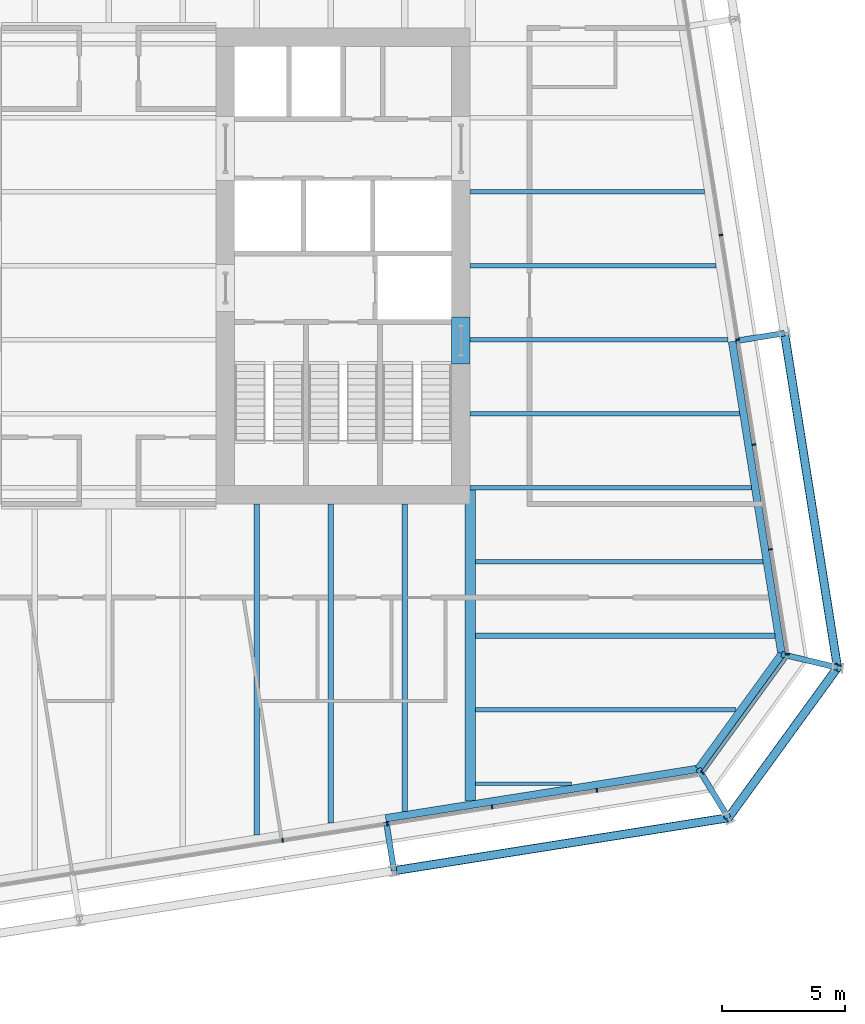
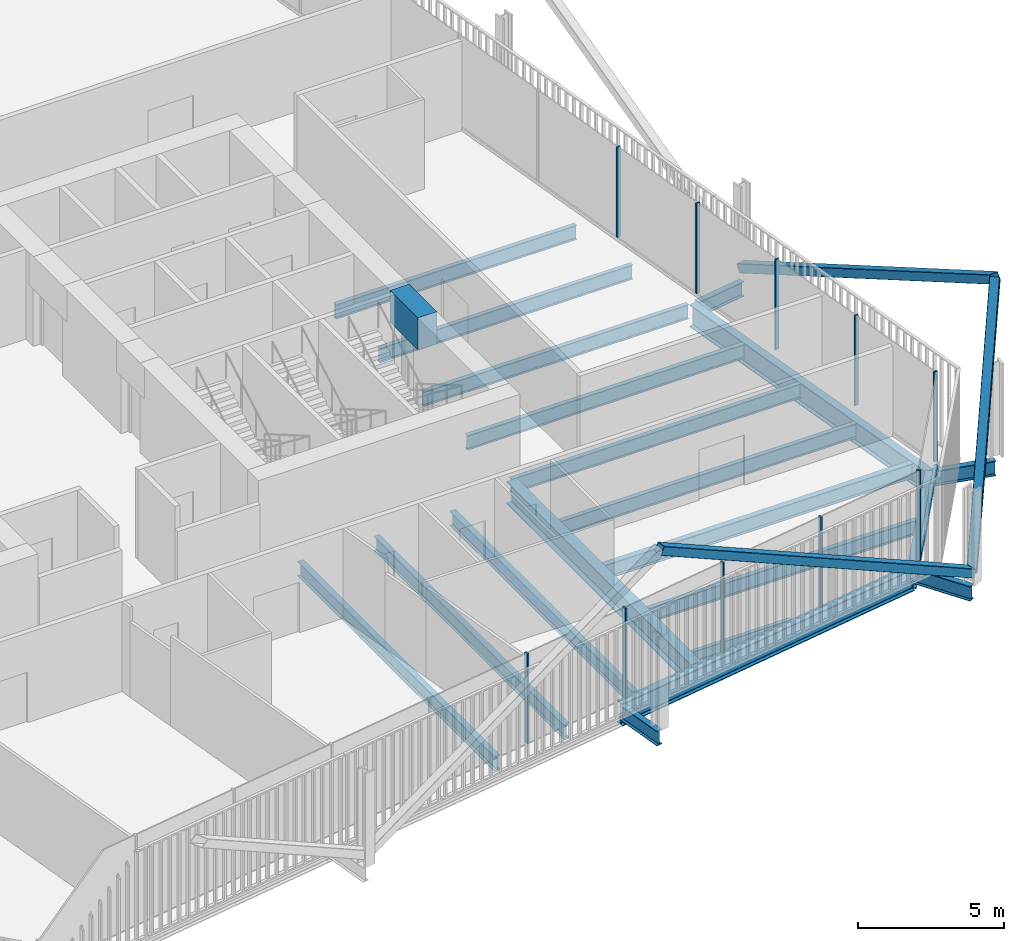
# One storey, part 8 of 22: 21 beams, 14 members, 3 elements without a shape of their own.
"""IFC4 building model written with IfcOpenShell, lengths in metres."""

import ifcopenshell
import ifcopenshell.guid

model = None  # the IFC model being written
_history = None  # IfcOwnerHistory: only IFC2X3 demands one
_inside = {}  # id of a spatial element -> (the spatial element, [elements in it])
_under = {}  # id of a project, library or spatial element -> (it, [spatial elements below it])
_declared = {}  # id of a project -> (the project, [libraries it declares])
_typed = {}  # id of a type object -> (the type object, [elements of that type])
_made_of = {}  # id of a material, layer set ... -> (it, [elements and type objects made of it])


def new_model(schema):
    """Start an empty IFC model of exactly this schema.

    Asked for "IFC4X3", IfcOpenShell would pick the latest addendum, in which some entities
    have other attributes; the version numbers below select the first issue.
    IFC2X3 requires an IfcOwnerHistory on every rooted entity: one is made here for all.
    """
    global model, _history
    if schema == "IFC4X3":
        model = ifcopenshell.file(schema_version=(4, 3, 0, 0))
    else:
        model = ifcopenshell.file(schema=schema)
    _inside.clear()
    _under.clear()
    _declared.clear()
    _typed.clear()
    _made_of.clear()
    _history = None
    if model.schema == "IFC2X3":
        org = make("IfcOrganization", Name="unknown")
        user = make(
            "IfcPersonAndOrganization",
            ThePerson=make("IfcPerson", FamilyName="unknown"),
            TheOrganization=org,
        )
        app = make(
            "IfcApplication",
            ApplicationDeveloper=org,
            Version="unknown",
            ApplicationFullName="unknown",
            ApplicationIdentifier="unknown",
        )
        _history = make(
            "IfcOwnerHistory",
            OwningUser=user,
            OwningApplication=app,
            ChangeAction="ADDED",
            CreationDate=0,
        )
    return model


def make(cls, **values):
    """One entity of the class cls with the attributes given. An attribute that is None is left unset."""
    return model.create_entity(
        cls, **{name: value for name, value in values.items() if value is not None}
    )


def rooted(cls, **values):
    """An entity with a GlobalId (a new one), such as an element, a storey or a relation."""
    return make(cls, GlobalId=ifcopenshell.guid.new(), OwnerHistory=_history, **values)


def si_unit(unit_type, name, prefix=None):
    """IfcSIUnit, for example si_unit("LENGTHUNIT", "METRE", prefix="MILLI")."""
    return make("IfcSIUnit", UnitType=unit_type, Prefix=prefix, Name=name)


def assignment(units):
    """IfcUnitAssignment: the units of a project."""
    return None if units is None else make("IfcUnitAssignment", Units=units)


def point(xyz):
    """IfcCartesianPoint."""
    return None if xyz is None else make("IfcCartesianPoint", Coordinates=xyz)


def direction(xyz):
    """IfcDirection."""
    return None if xyz is None else make("IfcDirection", DirectionRatios=xyz)


def frame(location, z_axis=None, x_axis=None):
    """IfcAxis2Placement3D, a coordinate frame: its origin and axes. An axis left out is left unset."""
    return make(
        "IfcAxis2Placement3D",
        Location=point(location),
        Axis=direction(z_axis),
        RefDirection=direction(x_axis),
    )


def frame_2d(location, x_axis=None):
    """IfcAxis2Placement2D, a coordinate frame in the plane: its origin and x axis."""
    return make(
        "IfcAxis2Placement2D", Location=point(location), RefDirection=direction(x_axis)
    )


def origin():
    """The frame at (0, 0, 0) with its axes left unset."""
    return frame((0.0, 0.0, 0.0))


def origin_2d():
    """The frame at (0, 0) in the plane with its x axis left unset."""
    return frame_2d((0.0, 0.0))


def place(relative_to, where):
    """IfcLocalPlacement: puts the frame where relative to a parent placement (None: the world)."""
    return make(
        "IfcLocalPlacement", PlacementRelTo=relative_to, RelativePlacement=where
    )


def context(
    kind, dimensions, precision=None, world=None, true_north=None, identifier=None
):
    """IfcGeometricRepresentationContext, for example the 3D "Model" context."""
    return make(
        "IfcGeometricRepresentationContext",
        ContextIdentifier=identifier,
        ContextType=kind,
        CoordinateSpaceDimension=dimensions,
        Precision=precision,
        WorldCoordinateSystem=world,
        TrueNorth=true_north,
    )


def subcontext(parent, identifier, kind, view, scale=None):
    """IfcGeometricRepresentationSubContext, for example "Body" below "Model"."""
    return make(
        "IfcGeometricRepresentationSubContext",
        ContextIdentifier=identifier,
        ContextType=kind,
        ParentContext=parent,
        TargetScale=scale,
        TargetView=view,
    )


def project(units=None, contexts=None):
    """IfcProject with its units and contexts."""
    return rooted(
        "IfcProject",
        Name="project",
        RepresentationContexts=contexts,
        UnitsInContext=assignment(units),
    )


def spatial(cls, under=None, at=None, **own):
    """A site, building, storey or space (cls), placed at a placement, below another one or the project."""
    s = rooted(cls, ObjectPlacement=at, **own)
    if under is not None:
        _under.setdefault(under.id(), (under, []))[1].append(s)
    return s


def profile(cls, at=None, kind="AREA", **sizes):
    """A parametric profile (cls). Its sizes go by their IFC names, for example OverallWidth=200.0."""
    return make(cls, ProfileType=kind, Position=at, **sizes)


def rectangle(**sizes):
    """IfcRectangleProfileDef."""
    return profile("IfcRectangleProfileDef", **sizes)


def hollow_rectangle(**sizes):
    """IfcRectangleHollowProfileDef."""
    return profile("IfcRectangleHollowProfileDef", **sizes)


def i_section(**sizes):
    """IfcIShapeProfileDef."""
    return profile("IfcIShapeProfileDef", **sizes)


def extrude(swept, where, along, depth):
    """IfcExtrudedAreaSolid: the profile swept, set in the frame where, extruded along a direction by depth."""
    return make(
        "IfcExtrudedAreaSolid",
        SweptArea=swept,
        Position=where,
        ExtrudedDirection=direction(along),
        Depth=depth,
    )


def shape(context_of_items, identifier, shape_type, items):
    """IfcShapeRepresentation: the items that make up one representation, for example the "Body"."""
    return make(
        "IfcShapeRepresentation",
        ContextOfItems=context_of_items,
        RepresentationIdentifier=identifier,
        RepresentationType=shape_type,
        Items=items,
    )


def material(Name=None, Category=None):
    """IfcMaterial."""
    return make("IfcMaterial", Name=Name, Category=Category)


def layer(
    of_material, thickness, ventilated=None, Name=None, Category=None, Priority=None
):
    """IfcMaterialLayer: one layer of a wall or slab, of a material (None: an air gap)."""
    return make(
        "IfcMaterialLayer",
        Material=of_material,
        LayerThickness=thickness,
        IsVentilated=ventilated,
        Name=Name,
        Category=Category,
        Priority=Priority,
    )


def layer_set(layers, Name=None):
    """IfcMaterialLayerSet."""
    return make("IfcMaterialLayerSet", MaterialLayers=layers, LayerSetName=Name)


def material_profile(
    of_material, cross_section, Name=None, Category=None, Priority=None
):
    """IfcMaterialProfile: a cross section and its material."""
    return make(
        "IfcMaterialProfile",
        Name=Name,
        Material=of_material,
        Profile=cross_section,
        Priority=Priority,
        Category=Category,
    )


def profile_set(profiles, Name=None, composite=None):
    """IfcMaterialProfileSet."""
    return make(
        "IfcMaterialProfileSet",
        Name=Name,
        MaterialProfiles=profiles,
        CompositeProfile=composite,
    )


def made_of(thing, what):
    """Note that an element or type object is made of a material, layer set ...; save() writes the relation."""
    if what is not None:
        _made_of.setdefault(what.id(), (what, []))[1].append(thing)
    return thing


def type_object(cls, material=None, **own):
    """A type object (cls), such as IfcWallType, which elements share."""
    return made_of(rooted(cls, **own), material)


def element(
    cls,
    number,
    at=None,
    inside=None,
    cuts=None,
    type_object=None,
    material=None,
    context=None,
    identifier="Body",
    shape_type=None,
    held_by="IfcProductDefinitionShape",
    body=None,
    shapes=None,
    **own,
):
    """One element of the class cls, such as IfcWall. Its Tag is "e" and its number.

    at: its placement. inside: the storey or other place that contains it. cuts: it is an
    opening in that element (IfcRelVoidsElement). A single representation is given by context,
    identifier, shape_type and body (its items); several are given by shapes. held_by: the class
    of the entity that holds the representations. save() writes the other relations.
    """
    e = rooted(cls, Tag="e%d" % number, ObjectPlacement=at, **own)
    if body is not None:
        shapes = [shape(context, identifier, shape_type, body)]
    if shapes is not None:
        e.Representation = make(held_by, Representations=shapes)
    if inside is not None:
        _inside.setdefault(inside.id(), (inside, []))[1].append(e)
    if cuts is not None:
        rooted(
            "IfcRelVoidsElement", RelatingBuildingElement=cuts, RelatedOpeningElement=e
        )
    if type_object is not None:
        _typed.setdefault(type_object.id(), (type_object, []))[1].append(e)
    return made_of(e, material)


def aggregate(whole, parts):
    """IfcRelAggregates: a whole, such as a stair, and the parts it consists of."""
    return rooted("IfcRelAggregates", RelatingObject=whole, RelatedObjects=parts)


def save(model, path):
    """Write the relations noted so far, then the file.

    IfcRelAggregates (storeys below a building ...), IfcRelContainedInSpatialStructure (elements
    in a storey), IfcRelDefinesByType, IfcRelAssociatesMaterial and IfcRelDeclares: one each for
    every whole, place, type object, material and project.
    """
    for whole, parts in _under.values():
        aggregate(whole, parts)
    for where, things in _inside.values():
        rooted(
            "IfcRelContainedInSpatialStructure",
            RelatedElements=things,
            RelatingStructure=where,
        )
    for kind, things in _typed.values():
        rooted("IfcRelDefinesByType", RelatedObjects=things, RelatingType=kind)
    for what, things in _made_of.values():
        rooted("IfcRelAssociatesMaterial", RelatedObjects=things, RelatingMaterial=what)
    for by, libraries in _declared.values():
        rooted("IfcRelDeclares", RelatingContext=by, RelatedDefinitions=libraries)
    model.write(path)


model = new_model("IFC4")

# Units and contexts
model_context = context("Model", 3, precision=1e-05, world=origin(), true_north=direction((0.0, 1.0)))
body_context = subcontext(model_context, "Body", "Model", "MODEL_VIEW")
ifc_project = project(units=[si_unit("LENGTHUNIT", "METRE"), si_unit("AREAUNIT", "SQUARE_METRE"), si_unit("VOLUMEUNIT", "CUBIC_METRE"), si_unit("PLANEANGLEUNIT", "RADIAN"), si_unit("MASSUNIT", "GRAM", prefix="KILO")], contexts=[model_context])

# Site, building, storey
site_placement = place(None, origin())
site = spatial("IfcSite", under=ifc_project, at=site_placement, CompositionType="ELEMENT")
building_placement = place(site_placement, origin())
building = spatial("IfcBuilding", under=site, at=building_placement, Name="Millrace Tower", CompositionType="ELEMENT")
storey_placement = place(building_placement, frame((0.0, 0.0, 145.10009765625)))
storey = spatial("IfcBuildingStorey", under=building, at=storey_placement, Name="L32", CompositionType="ELEMENT", Elevation=145.10009765625)

# Curtain wall, members
ifc_material_1 = material(Name="Aluminium and glass", Category="aluminium")
ifc_layer = layer(ifc_material_1, 0.14990234375)
ifc_layer_set = layer_set([ifc_layer], Name="Aluminium and glass")
curtain_wall_type = type_object("IfcCurtainWallType", Name="CW-1 office vision curtain wall", PredefinedType="NOTDEFINED", material=ifc_layer_set)
placement = place(storey_placement, origin())
curtain_wall_1 = element("IfcCurtainWall", 1, at=placement, inside=storey, type_object=curtain_wall_type, Name="Curtain wall C-F02 L32", PredefinedType="NOTDEFINED")
ifc_material_2 = material(Name="Aluminium", Category="aluminium")
ifc_material_profile_1 = material_profile(ifc_material_2, rectangle(XDim=0.06494140625, YDim=0.14990234375, at=origin_2d()))
ifc_profile_set_1 = profile_set([ifc_material_profile_1], Name="Aluminium")
member_type_1 = type_object("IfcMemberType", Name="CW-1 office vision curtain wall mullion", PredefinedType="MULLION", material=ifc_profile_set_1)
member_1_placement = place(storey_placement, frame((7.04345703125, -23.293212890625, 0.139892578125), z_axis=(0.0, 0.0, 1.0), x_axis=(0.98768833929, 0.15643447328, 0.0)))
member_1 = element("IfcMember", 2, at=member_1_placement, type_object=member_type_1, Name="CW1 mullion C-F02.6", PredefinedType="MULLION", context=body_context, shape_type="SweptSolid", body=[
    extrude(rectangle(XDim=0.06494140625, YDim=0.14990234375, at=origin_2d()), origin(), (0.0, 0.0, 1.0), 3.760009765625),
])
member_2_placement = place(storey_placement, frame((11.29052734375, -22.62060546875, 0.139892578125), z_axis=(0.0, 0.0, 1.0), x_axis=(0.98768833929, 0.15643447328, 0.0)))
member_2 = element("IfcMember", 3, at=member_2_placement, type_object=member_type_1, Name="CW1 mullion C-F02.7", PredefinedType="MULLION", context=body_context, shape_type="SweptSolid", body=[
    extrude(rectangle(XDim=0.06494140625, YDim=0.14990234375, at=origin_2d()), origin(), (0.0, 0.0, 1.0), 3.760009765625),
])
member_3_placement = place(storey_placement, frame((15.53759765625, -21.947998046875, 0.139892578125), z_axis=(0.0, 0.0, 1.0), x_axis=(0.98768833929, 0.15643447328, 0.0)))
member_3 = element("IfcMember", 4, at=member_3_placement, type_object=member_type_1, Name="CW1 mullion C-F02.8", PredefinedType="MULLION", context=body_context, shape_type="SweptSolid", body=[
    extrude(rectangle(XDim=0.06494140625, YDim=0.14990234375, at=origin_2d()), origin(), (0.0, 0.0, 1.0), 3.760009765625),
])
member_4_placement = place(storey_placement, frame((19.78466796875, -21.275390625, 0.139892578125), z_axis=(0.0, 0.0, 1.0), x_axis=(0.98768833929, 0.15643447328, 0.0)))
member_4 = element("IfcMember", 5, at=member_4_placement, type_object=member_type_1, Name="CW1 mullion C-F02.9", PredefinedType="MULLION", context=body_context, shape_type="SweptSolid", body=[
    extrude(rectangle(XDim=0.06494140625, YDim=0.14990234375, at=origin_2d()), origin(), (0.0, 0.0, 1.0), 3.760009765625),
])
aggregate(curtain_wall_1, [member_1, member_2, member_3, member_4])

# Curtain wall, member
curtain_wall_2 = element("IfcCurtainWall", 6, at=placement, inside=storey, type_object=curtain_wall_type, Name="Curtain wall C-F03 L32", PredefinedType="NOTDEFINED")
member_5_placement = place(storey_placement, frame((24.06787109375, -20.551513671875, 0.139892578125), z_axis=(0.0, 0.0, 1.0), x_axis=(0.587785269844, 0.809016981623, 0.0)))
member_5 = element("IfcMember", 7, at=member_5_placement, type_object=member_type_1, Name="CW1 mullion C-F03.1", PredefinedType="MULLION", context=body_context, shape_type="SweptSolid", body=[
    extrude(rectangle(XDim=0.06494140625, YDim=0.14990234375, at=origin_2d()), origin(), (0.0, 0.0, 1.0), 3.760009765625),
])

# Curtain wall, members
curtain_wall_3 = element("IfcCurtainWall", 8, at=placement, inside=storey, type_object=curtain_wall_type, Name="Curtain wall C-F04 L32", PredefinedType="NOTDEFINED")
member_6_placement = place(storey_placement, frame((27.506591796875, -15.74169921875, 0.139892578125), z_axis=(0.0, 0.0, 1.0), x_axis=(-0.15643447328, 0.98768833929, 0.0)))
member_6 = element("IfcMember", 9, at=member_6_placement, type_object=member_type_1, Name="CW1 mullion C-F04.1", PredefinedType="MULLION", context=body_context, shape_type="SweptSolid", body=[
    extrude(rectangle(XDim=0.06494140625, YDim=0.14990234375, at=origin_2d()), origin(), (0.0, 0.0, 1.0), 3.760009765625),
])
member_7_placement = place(storey_placement, frame((26.833984375, -11.49462890625, 0.139892578125), z_axis=(0.0, 0.0, 1.0), x_axis=(-0.15643447328, 0.98768833929, 0.0)))
member_7 = element("IfcMember", 10, at=member_7_placement, type_object=member_type_1, Name="CW1 mullion C-F04.2", PredefinedType="MULLION", context=body_context, shape_type="SweptSolid", body=[
    extrude(rectangle(XDim=0.06494140625, YDim=0.14990234375, at=origin_2d()), origin(), (0.0, 0.0, 1.0), 3.760009765625),
])
member_8_placement = place(storey_placement, frame((26.161376953125, -7.24755859375, 0.139892578125), z_axis=(0.0, 0.0, 1.0), x_axis=(-0.15643447328, 0.98768833929, 0.0)))
member_8 = element("IfcMember", 11, at=member_8_placement, type_object=member_type_1, Name="CW1 mullion C-F04.3", PredefinedType="MULLION", context=body_context, shape_type="SweptSolid", body=[
    extrude(rectangle(XDim=0.06494140625, YDim=0.14990234375, at=origin_2d()), origin(), (0.0, 0.0, 1.0), 3.760009765625),
])
member_9_placement = place(storey_placement, frame((25.48876953125, -3.00048828125, 0.139892578125), z_axis=(0.0, 0.0, 1.0), x_axis=(-0.15643447328, 0.98768833929, 0.0)))
member_9 = element("IfcMember", 12, at=member_9_placement, type_object=member_type_1, Name="CW1 mullion C-F04.4", PredefinedType="MULLION", context=body_context, shape_type="SweptSolid", body=[
    extrude(rectangle(XDim=0.06494140625, YDim=0.14990234375, at=origin_2d()), origin(), (0.0, 0.0, 1.0), 3.760009765625),
])
member_10_placement = place(storey_placement, frame((24.81591796875, 1.24658203125, 0.139892578125), z_axis=(0.0, 0.0, 1.0), x_axis=(-0.15643447328, 0.98768833929, 0.0)))
member_10 = element("IfcMember", 13, at=member_10_placement, type_object=member_type_1, Name="CW1 mullion C-F04.5", PredefinedType="MULLION", context=body_context, shape_type="SweptSolid", body=[
    extrude(rectangle(XDim=0.06494140625, YDim=0.14990234375, at=origin_2d()), origin(), (0.0, 0.0, 1.0), 3.760009765625),
])
aggregate(curtain_wall_3, [member_6, member_7, member_8, member_9, member_10])

# Member
ifc_material_3 = material(Name="Aluminium", Category="aluminium")
ifc_material_profile_2 = material_profile(ifc_material_3, rectangle(XDim=0.14990234375, YDim=0.139892578125, at=origin_2d()))
ifc_profile_set_2 = profile_set([ifc_material_profile_2], Name="Aluminium")
member_type_2 = type_object("IfcMemberType", Name="CW-1 office vision curtain wall transom", PredefinedType="USERDEFINED", material=ifc_profile_set_2)
member_11_placement = place(storey_placement, frame((24.107421875, -20.496826171875, 0.06982421875), z_axis=(0.587810581339, 0.808998591139, 0.0), x_axis=(-0.808998591139, 0.587810581339, 0.0)))
member_11 = element("IfcMember", 14, at=member_11_placement, type_object=member_type_2, Name="CW1 transom C-F03.1", ObjectType="TRANSOM", PredefinedType="USERDEFINED", context=body_context, shape_type="SweptSolid", body=[
    extrude(rectangle(XDim=0.14990234375, YDim=0.139892578125, at=origin_2d()), origin(), (0.0, 0.0, 1.0), 5.6689453125),
])

aggregate(curtain_wall_2, [member_5, member_11])

# Beam
ifc_material_4 = material(Name="Concrete C70", Category="concrete")
ifc_material_profile_3 = material_profile(ifc_material_4, rectangle(XDim=0.75, YDim=1.340087890625, at=origin_2d()))
ifc_profile_set_3 = profile_set([ifc_material_profile_3], Name="Concrete C70")
beam_type_1 = type_object("IfcBeamType", Name="Coupling beam 750 x 1340 Concrete C70, 1300 opening", PredefinedType="BEAM", material=ifc_profile_set_3)
beam_1_placement = place(storey_placement, frame((14.27490234375, -2.080078125, 3.06982421875), z_axis=(0.0, -1.0, 0.0), x_axis=(1.0, 0.0, 0.0)))
element("IfcBeam", 15, at=beam_1_placement, inside=storey, type_object=beam_type_1, Name="Coupling beam E L32", PredefinedType="BEAM", context=body_context, shape_type="SweptSolid", body=[
    extrude(rectangle(XDim=0.75, YDim=1.340087890625, at=origin_2d()), origin(), (0.0, 0.0, 1.0), 1.89990234375),
])

# Members
ifc_material_5 = material(Name="Steel ASTM A500 Grade C", Category="steel")
ifc_material_profile_4 = material_profile(ifc_material_5, hollow_rectangle(XDim=0.355712890625, YDim=0.355712890625, WallThickness=0.015869140625, InnerFilletRadius=0.008056640625, OuterFilletRadius=0.02392578125, at=origin_2d()))
ifc_profile_set_4 = profile_set([ifc_material_profile_4], Name="Steel ASTM A500 Grade C")
member_type_3 = type_object("IfcMemberType", Name="Exoskeleton brace HSS14x14x5/8", PredefinedType="BRACE", material=ifc_profile_set_4)
member_12_placement = place(storey_placement, frame((25.119140625, -22.37939453125, 0.39990234375), z_axis=(-0.879908188937, -0.139368965396, 0.454244285078), x_axis=(0.156440158434, -0.987687438833, 0.0)))
element("IfcMember", 16, at=member_12_placement, inside=storey, type_object=member_type_3, Name="BRC-C-L32-04", PredefinedType="BRACE", context=body_context, shape_type="SweptSolid", body=[
    extrude(hollow_rectangle(XDim=0.355712890625, YDim=0.355712890625, WallThickness=0.015869140625, InnerFilletRadius=0.008056640625, OuterFilletRadius=0.02392578125, at=origin_2d()), origin(), (0.0, 0.0, 1.0), 15.41015625),
])
member_13_placement = place(storey_placement, frame((25.119140625, -22.37939453125, 0.39990234375), z_axis=(0.430395153162, 0.592372334541, 0.681069034243), x_axis=(-0.809009551985, 0.587795495726, 0.0)))
element("IfcMember", 17, at=member_13_placement, inside=storey, type_object=member_type_3, Name="BRC-C-L32-05", PredefinedType="BRACE", context=body_context, shape_type="SweptSolid", body=[
    extrude(hollow_rectangle(XDim=0.355712890625, YDim=0.355712890625, WallThickness=0.015869140625, InnerFilletRadius=0.008056640625, OuterFilletRadius=0.02392578125, at=origin_2d()), origin(), (0.0, 0.0, 1.0), 10.278076171875),
])
member_14_placement = place(storey_placement, frame((27.39501953125, -2.7314453125, 0.39990234375), z_axis=(0.139368965396, -0.879908188937, 0.454244285078), x_axis=(0.987687438833, 0.156440158434, 0.0)))
element("IfcMember", 18, at=member_14_placement, inside=storey, type_object=member_type_3, Name="BRC-C-L32-06", PredefinedType="BRACE", context=body_context, shape_type="SweptSolid", body=[
    extrude(hollow_rectangle(XDim=0.355712890625, YDim=0.355712890625, WallThickness=0.015869140625, InnerFilletRadius=0.008056640625, OuterFilletRadius=0.02392578125, at=origin_2d()), origin(), (0.0, 0.0, 1.0), 15.41015625),
])

# Beams
ifc_material_6 = material(Name="Steel ASTM A992 Grade 50", Category="steel")
ifc_material_profile_5 = material_profile(ifc_material_6, i_section(OverallWidth=0.15234375, OverallDepth=0.449462890625, WebThickness=0.007568359375, FlangeThickness=0.0107421875, FilletRadius=0.01025390625, at=origin_2d()))
ifc_profile_set_5 = profile_set([ifc_material_profile_5], Name="Steel ASTM A992 Grade 50")
beam_type_2 = type_object("IfcBeamType", Name="Floor beam W18x35", PredefinedType="JOIST", material=ifc_profile_set_5)
beam_2_placement = place(storey_placement, frame((14.859619140625, -21.0, -0.384765625), z_axis=(1.0, 0.0, 0.0), x_axis=(0.0, 1.0, 0.0)))
element("IfcBeam", 19, at=beam_2_placement, inside=storey, type_object=beam_type_2, Name="BM-C-L32-S1-S003", PredefinedType="JOIST", context=body_context, shape_type="SweptSolid", body=[
    extrude(i_section(OverallWidth=0.15234375, OverallDepth=0.449462890625, WebThickness=0.007568359375, FlangeThickness=0.0107421875, FilletRadius=0.01025390625, at=origin_2d()), origin(), (0.0, 0.0, 1.0), 3.9033203125),
])
ifc_material_7 = material(Name="Steel ASTM A992 Grade 50", Category="steel")
ifc_material_profile_6 = material_profile(ifc_material_7, i_section(OverallWidth=0.177978515625, OverallDepth=0.599365234375, WebThickness=0.010009765625, FlangeThickness=0.012939453125, FilletRadius=0.012939453125, at=origin_2d()))
ifc_profile_set_6 = profile_set([ifc_material_profile_6], Name="Steel ASTM A992 Grade 50")
beam_type_3 = type_object("IfcBeamType", Name="Floor beam W24x55", PredefinedType="JOIST", material=ifc_profile_set_6)
beam_3_placement = place(storey_placement, frame((14.64990234375, 0.0, -0.459716796875), z_axis=(1.0, 0.0, 0.0), x_axis=(0.0, 1.0, 0.0)))
element("IfcBeam", 20, at=beam_3_placement, inside=storey, type_object=beam_type_3, Name="BM-C-L32-S1-S021", PredefinedType="JOIST", context=body_context, shape_type="SweptSolid", body=[
    extrude(i_section(OverallWidth=0.177978515625, OverallDepth=0.599365234375, WebThickness=0.010009765625, FlangeThickness=0.012939453125, FilletRadius=0.012939453125, at=origin_2d()), origin(), (0.0, 0.0, 1.0), 9.976318359375),
])
beam_4_placement = place(storey_placement, frame((14.64990234375, 3.0, -0.459716796875), z_axis=(1.0, 0.0, 0.0), x_axis=(0.0, 1.0, 0.0)))
element("IfcBeam", 21, at=beam_4_placement, inside=storey, type_object=beam_type_3, Name="BM-C-L32-S1-S024", PredefinedType="JOIST", context=body_context, shape_type="SweptSolid", body=[
    extrude(i_section(OverallWidth=0.177978515625, OverallDepth=0.599365234375, WebThickness=0.010009765625, FlangeThickness=0.012939453125, FilletRadius=0.012939453125, at=origin_2d()), origin(), (0.0, 0.0, 1.0), 9.501220703125),
])
ifc_material_8 = material(Name="Steel ASTM A992 Grade 50", Category="steel")
ifc_material_profile_7 = material_profile(ifc_material_8, i_section(OverallWidth=0.1787109375, OverallDepth=0.60205078125, WebThickness=0.010986328125, FlangeThickness=0.014892578125, FilletRadius=0.0126953125, at=origin_2d()))
ifc_profile_set_7 = profile_set([ifc_material_profile_7], Name="Steel ASTM A992 Grade 50")
beam_type_4 = type_object("IfcBeamType", Name="Floor beam W24x62", PredefinedType="JOIST", material=ifc_profile_set_7)
beam_5_placement = place(storey_placement, frame((14.859619140625, -12.0, -0.461181640625), z_axis=(1.0, 0.0, 0.0), x_axis=(0.0, 1.0, 0.0)))
element("IfcBeam", 22, at=beam_5_placement, inside=storey, type_object=beam_type_4, Name="BM-C-L32-S1-S009", PredefinedType="JOIST", context=body_context, shape_type="SweptSolid", body=[
    extrude(i_section(OverallWidth=0.1787109375, OverallDepth=0.60205078125, WebThickness=0.010986328125, FlangeThickness=0.014892578125, FilletRadius=0.0126953125, at=origin_2d()), origin(), (0.0, 0.0, 1.0), 11.667236328125),
])
beam_6_placement = place(storey_placement, frame((14.64990234375, -9.0, -0.461181640625), z_axis=(1.0, 0.0, 0.0), x_axis=(0.0, 1.0, 0.0)))
element("IfcBeam", 23, at=beam_6_placement, inside=storey, type_object=beam_type_4, Name="BM-C-L32-S1-S012", PredefinedType="JOIST", context=body_context, shape_type="SweptSolid", body=[
    extrude(i_section(OverallWidth=0.1787109375, OverallDepth=0.60205078125, WebThickness=0.010986328125, FlangeThickness=0.014892578125, FilletRadius=0.0126953125, at=origin_2d()), origin(), (0.0, 0.0, 1.0), 11.40185546875),
])
beam_7_placement = place(storey_placement, frame((14.64990234375, -6.0, -0.461181640625), z_axis=(1.0, 0.0, 0.0), x_axis=(0.0, 1.0, 0.0)))
element("IfcBeam", 24, at=beam_7_placement, inside=storey, type_object=beam_type_4, Name="BM-C-L32-S1-S015", PredefinedType="JOIST", context=body_context, shape_type="SweptSolid", body=[
    extrude(i_section(OverallWidth=0.1787109375, OverallDepth=0.60205078125, WebThickness=0.010986328125, FlangeThickness=0.014892578125, FilletRadius=0.0126953125, at=origin_2d()), origin(), (0.0, 0.0, 1.0), 10.9267578125),
])
beam_8_placement = place(storey_placement, frame((14.64990234375, -3.0, -0.461181640625), z_axis=(1.0, 0.0, 0.0), x_axis=(0.0, 1.0, 0.0)))
element("IfcBeam", 25, at=beam_8_placement, inside=storey, type_object=beam_type_4, Name="BM-C-L32-S1-S018", PredefinedType="JOIST", context=body_context, shape_type="SweptSolid", body=[
    extrude(i_section(OverallWidth=0.1787109375, OverallDepth=0.60205078125, WebThickness=0.010986328125, FlangeThickness=0.014892578125, FilletRadius=0.0126953125, at=origin_2d()), origin(), (0.0, 0.0, 1.0), 10.45166015625),
])
beam_9_placement = place(storey_placement, frame((14.859619140625, -18.0, -0.461181640625), z_axis=(1.0, 0.0, 0.0), x_axis=(0.0, 1.0, 0.0)))
element("IfcBeam", 26, at=beam_9_placement, inside=storey, type_object=beam_type_4, Name="BM-C-L32-S1-S005", PredefinedType="JOIST", context=body_context, shape_type="SweptSolid", body=[
    extrude(i_section(OverallWidth=0.1787109375, OverallDepth=0.60205078125, WebThickness=0.010986328125, FlangeThickness=0.014892578125, FilletRadius=0.0126953125, at=origin_2d()), origin(), (0.0, 0.0, 1.0), 10.577392578125),
])
ifc_material_9 = material(Name="Steel ASTM A992 Grade 50", Category="steel")
ifc_material_profile_8 = material_profile(ifc_material_9, i_section(OverallWidth=0.228271484375, OverallDepth=0.607177734375, WebThickness=0.01123046875, FlangeThickness=0.017333984375, FilletRadius=0.0126953125, at=origin_2d()))
ifc_profile_set_8 = profile_set([ifc_material_profile_8], Name="Steel ASTM A992 Grade 50")
beam_type_5 = type_object("IfcBeamType", Name="Floor beam W24x76", PredefinedType="JOIST", material=ifc_profile_set_8)
beam_10_placement = place(storey_placement, frame((14.859619140625, -15.0, -0.463623046875), z_axis=(1.0, 0.0, 0.0), x_axis=(0.0, 1.0, 0.0)))
element("IfcBeam", 27, at=beam_10_placement, inside=storey, type_object=beam_type_5, Name="BM-C-L32-S1-S007", PredefinedType="JOIST", context=body_context, shape_type="SweptSolid", body=[
    extrude(i_section(OverallWidth=0.228271484375, OverallDepth=0.607177734375, WebThickness=0.01123046875, FlangeThickness=0.017333984375, FilletRadius=0.0126953125, at=origin_2d()), origin(), (0.0, 0.0, 1.0), 12.142578125),
])
beam_11_placement = place(storey_placement, frame((6.0, -23.071533203125, -0.463623046875), z_axis=(0.0, 1.0, 0.0), x_axis=(-1.0, 0.0, 0.0)))
element("IfcBeam", 28, at=beam_11_placement, inside=storey, type_object=beam_type_5, Name="BM-C-L32-S1-S052", PredefinedType="JOIST", context=body_context, shape_type="SweptSolid", body=[
    extrude(i_section(OverallWidth=0.228271484375, OverallDepth=0.607177734375, WebThickness=0.01123046875, FlangeThickness=0.017333984375, FilletRadius=0.0126953125, at=origin_2d()), origin(), (0.0, 0.0, 1.0), 13.421630859375),
])
beam_12_placement = place(storey_placement, frame((9.0, -22.596435546875, -0.463623046875), z_axis=(0.0, 1.0, 0.0), x_axis=(-1.0, 0.0, 0.0)))
element("IfcBeam", 29, at=beam_12_placement, inside=storey, type_object=beam_type_5, Name="BM-C-L32-S1-S054", PredefinedType="JOIST", context=body_context, shape_type="SweptSolid", body=[
    extrude(i_section(OverallWidth=0.228271484375, OverallDepth=0.607177734375, WebThickness=0.01123046875, FlangeThickness=0.017333984375, FilletRadius=0.0126953125, at=origin_2d()), origin(), (0.0, 0.0, 1.0), 12.946533203125),
])
beam_13_placement = place(storey_placement, frame((12.0, -22.12109375, -0.463623046875), z_axis=(0.0, 1.0, 0.0), x_axis=(-1.0, 0.0, 0.0)))
element("IfcBeam", 30, at=beam_13_placement, inside=storey, type_object=beam_type_5, Name="BM-C-L32-S1-S056", PredefinedType="JOIST", context=body_context, shape_type="SweptSolid", body=[
    extrude(i_section(OverallWidth=0.228271484375, OverallDepth=0.607177734375, WebThickness=0.01123046875, FlangeThickness=0.017333984375, FilletRadius=0.0126953125, at=origin_2d()), origin(), (0.0, 0.0, 1.0), 12.47119140625),
])
ifc_material_10 = material(Name="Steel ASTM A992 Grade 50", Category="steel")
ifc_material_profile_9 = material_profile(ifc_material_10, i_section(OverallWidth=0.419189453125, OverallDepth=0.927001953125, WebThickness=0.019287109375, FlangeThickness=0.031982421875, FilletRadius=0.024169921875, at=origin_2d()))
ifc_profile_set_9 = profile_set([ifc_material_profile_9], Name="Steel ASTM A992 Grade 50")
beam_type_6 = type_object("IfcBeamType", Name="Girder medium span W36x231", PredefinedType="BEAM", material=ifc_profile_set_9)
beam_14_placement = place(storey_placement, frame((14.64990234375, -21.693603515625, -0.62353515625), z_axis=(0.0, 1.0, 0.0), x_axis=(-1.0, 0.0, 0.0)))
element("IfcBeam", 31, at=beam_14_placement, inside=storey, type_object=beam_type_6, Name="BM-C-L32-S1-G060", PredefinedType="BEAM", context=body_context, shape_type="SweptSolid", body=[
    extrude(i_section(OverallWidth=0.419189453125, OverallDepth=0.927001953125, WebThickness=0.019287109375, FlangeThickness=0.031982421875, FilletRadius=0.024169921875, at=origin_2d()), origin(), (0.0, 0.0, 1.0), 12.603515625),
])
ifc_material_11 = material(Name="Steel ASTM A992 Grade 50", Category="steel")
ifc_material_profile_10 = material_profile(ifc_material_11, i_section(OverallWidth=0.23046875, OverallDepth=0.6171875, WebThickness=0.01318359375, FlangeThickness=0.022216796875, FilletRadius=0.012939453125, at=origin_2d()))
ifc_profile_set_10 = profile_set([ifc_material_profile_10], Name="Steel ASTM A992 Grade 50")
beam_type_7 = type_object("IfcBeamType", Name="Link beam W24x94", PredefinedType="BEAM", material=ifc_profile_set_10)
beam_15_placement = place(storey_placement, frame((25.419677734375, -3.04443359375, -0.46875), z_axis=(0.987678691416, 0.156495375404, 0.0), x_axis=(-0.156495375404, 0.987678691416, 0.0)))
element("IfcBeam", 32, at=beam_15_placement, inside=storey, type_object=beam_type_7, Name="LNK-C-L32-S1-11", PredefinedType="BEAM", context=body_context, shape_type="SweptSolid", body=[
    extrude(i_section(OverallWidth=0.23046875, OverallDepth=0.6171875, WebThickness=0.01318359375, FlangeThickness=0.022216796875, FilletRadius=0.012939453125, at=origin_2d()), origin(), (0.0, 0.0, 1.0), 2.0),
])
beam_16_placement = place(storey_placement, frame((27.27587890625, -15.746826171875, -0.46875), z_axis=(0.972373041068, -0.233432364948, 0.0), x_axis=(0.233432364948, 0.972373041068, 0.0)))
element("IfcBeam", 33, at=beam_16_placement, inside=storey, type_object=beam_type_7, Name="LNK-C-L32-S1-12", PredefinedType="BEAM", context=body_context, shape_type="SweptSolid", body=[
    extrude(i_section(OverallWidth=0.23046875, OverallDepth=0.6171875, WebThickness=0.01318359375, FlangeThickness=0.022216796875, FilletRadius=0.012939453125, at=origin_2d()), origin(), (0.0, 0.0, 1.0), 2.331298828125),
])
beam_17_placement = place(storey_placement, frame((23.901123046875, -20.391845703125, -0.46875), z_axis=(0.522512938711, -0.852631355792, 0.0), x_axis=(0.852631355792, 0.522512938711, 0.0)))
element("IfcBeam", 34, at=beam_17_placement, inside=storey, type_object=beam_type_7, Name="LNK-C-L32-S1-13", PredefinedType="BEAM", context=body_context, shape_type="SweptSolid", body=[
    extrude(i_section(OverallWidth=0.23046875, OverallDepth=0.6171875, WebThickness=0.01318359375, FlangeThickness=0.022216796875, FilletRadius=0.012939453125, at=origin_2d()), origin(), (0.0, 0.0, 1.0), 2.3310546875),
])
beam_18_placement = place(storey_placement, frame((11.246826171875, -22.5517578125, -0.46875), z_axis=(0.15637629034, -0.987697552806, 0.0), x_axis=(0.987697552806, 0.15637629034, 0.0)))
element("IfcBeam", 35, at=beam_18_placement, inside=storey, type_object=beam_type_7, Name="LNK-C-L32-S1-14", PredefinedType="BEAM", context=body_context, shape_type="SweptSolid", body=[
    extrude(i_section(OverallWidth=0.23046875, OverallDepth=0.6171875, WebThickness=0.01318359375, FlangeThickness=0.022216796875, FilletRadius=0.012939453125, at=origin_2d()), origin(), (0.0, 0.0, 1.0), 2.0),
])
ifc_material_12 = material(Name="Steel ASTM A992 Grade 50", Category="steel")
ifc_material_profile_11 = material_profile(ifc_material_12, i_section(OverallWidth=0.307373046875, OverallDepth=0.927001953125, WebThickness=0.01953125, FlangeThickness=0.031982421875, FilletRadius=0.01904296875, at=origin_2d()))
ifc_profile_set_11 = profile_set([ifc_material_profile_11], Name="Steel ASTM A992 Grade 50")
beam_type_8 = type_object("IfcBeamType", Name="Ring beam medium span W36x194", PredefinedType="SPANDREL", material=ifc_profile_set_11)
for number, where, z_axis, x_axis, name in (
    (36, (25.267822265625, -3.068359375, -0.62353515625), (0.15643330783, -0.987688523879, 0.0), (0.987688523879, 0.15643330783, 0.0), "RNG-C-L32-S1-11"),
    (37, (23.901123046875, -20.391845703125, -0.62353515625), (-0.987688523879, -0.15643330783, 0.0), (0.15643330783, -0.987688523879, 0.0), "RNG-C-L32-S1-13"),
):
    element("IfcBeam", number, at=place(storey_placement, frame(where, z_axis=z_axis, x_axis=x_axis)), inside=storey, type_object=beam_type_8, Name=name, PredefinedType="SPANDREL", context=body_context, shape_type="SweptSolid", body=[
        extrude(i_section(OverallWidth=0.307373046875, OverallDepth=0.927001953125, WebThickness=0.01953125, FlangeThickness=0.031982421875, FilletRadius=0.01904296875, at=origin_2d()), origin(), (0.0, 0.0, 1.0), 12.83642578125),
    ])
ifc_material_13 = material(Name="Steel ASTM A992 Grade 50", Category="steel")
ifc_material_profile_12 = material_profile(ifc_material_13, i_section(OverallWidth=0.307373046875, OverallDepth=0.927001953125, WebThickness=0.01953125, FlangeThickness=0.031982421875, FilletRadius=0.01904296875, at=origin_2d()))
ifc_profile_set_12 = profile_set([ifc_material_profile_12], Name="Steel ASTM A992 Grade 50")
beam_type_9 = type_object("IfcBeamType", Name="Ring beam short span W36x194", PredefinedType="SPANDREL", material=ifc_profile_set_12)
beam_19_placement = place(storey_placement, frame((27.27587890625, -15.746826171875, -0.62353515625), z_axis=(-0.58777973792, -0.809021000772, 0.0), x_axis=(0.809021000772, -0.58777973792, 0.0)))
element("IfcBeam", 38, at=beam_19_placement, inside=storey, type_object=beam_type_9, Name="RNG-C-L32-S1-12", PredefinedType="SPANDREL", context=body_context, shape_type="SweptSolid", body=[
    extrude(i_section(OverallWidth=0.307373046875, OverallDepth=0.927001953125, WebThickness=0.01953125, FlangeThickness=0.031982421875, FilletRadius=0.01904296875, at=origin_2d()), origin(), (0.0, 0.0, 1.0), 5.741455078125),
])

save(model, "model.ifc")
